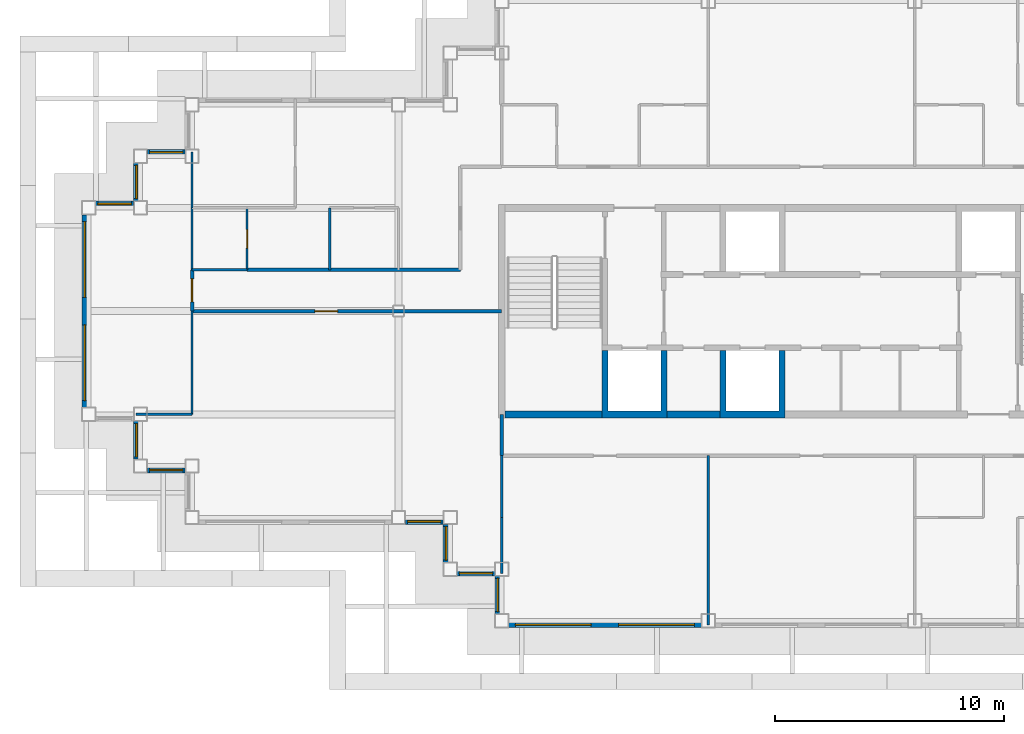
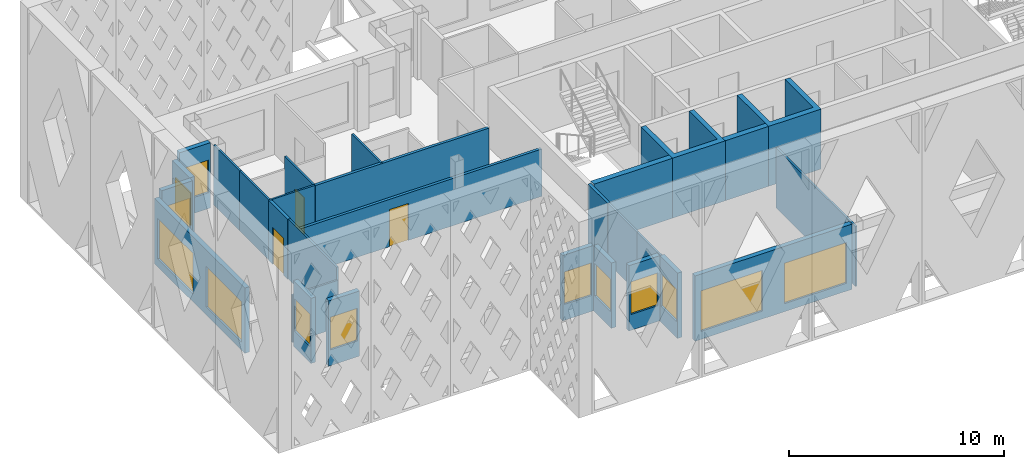
# One storey, part 2 of 13: 29 walls, 13 windows, 3 doors, 16 openings.
"""IFC4 building model written with IfcOpenShell, lengths in metres."""

from ifc_helpers import new_model, si_unit, direction, frame, frame_2d, origin, place, context, subcontext, project, spatial, polyline, rectangle, outline, extrude, material, layer, layer_set, type_object, element, fill, save


model = new_model("IFC4")

# Units and contexts
model_context = context("Model", 3, precision=1e-05, world=origin(), true_north=direction((0.0, 1.0)))
body_context = subcontext(model_context, "Body", "Model", "MODEL_VIEW")
ifc_project = project(units=[si_unit("LENGTHUNIT", "METRE"), si_unit("AREAUNIT", "SQUARE_METRE"), si_unit("VOLUMEUNIT", "CUBIC_METRE"), si_unit("PLANEANGLEUNIT", "RADIAN"), si_unit("MASSUNIT", "GRAM", prefix="KILO")], contexts=[model_context])

# Site, building, storey
site_placement = place(None, origin())
site = spatial("IfcSite", under=ifc_project, at=site_placement, CompositionType="ELEMENT")
building_placement = place(site_placement, origin())
building = spatial("IfcBuilding", under=site, at=building_placement, Name="Caravel Reach Hotel and Residences", CompositionType="ELEMENT")
storey_placement = place(building_placement, frame((0.0, 0.0, 267.5)))
storey = spatial("IfcBuildingStorey", under=building, at=storey_placement, Name="L68", CompositionType="ELEMENT", Elevation=267.5)

# Walls
ifc_material_1 = material(Name="Gypsum board on steel stud", Category="steel")
ifc_layer_1 = layer(ifc_material_1, 0.10009765625)
ifc_layer_set_1 = layer_set([ifc_layer_1], Name="Bathroom pod wall 100 mm")
wall_type_1 = type_object("IfcWallType", Name="Bathroom pod wall 100 mm", PredefinedType="PARTITIONING", material=ifc_layer_set_1)
wall_1_placement = place(storey_placement, frame((4.5, 28.800048828125, 0.0), z_axis=(0.0, 0.0, 1.0), x_axis=(1.0, 0.0, 0.0)))
element("IfcWall", 1, at=wall_1_placement, inside=storey, type_object=wall_type_1, Name="L68 wall w052", PredefinedType="PARTITIONING", context=body_context, shape_type="SweptSolid", body=[
    extrude(rectangle(XDim=2.39990234375, YDim=0.10009765625, at=frame_2d((1.199951171875, 0.0))), origin(), (0.0, 0.0, 1.0), 3.39990234375),
])
wall_2_placement = place(storey_placement, frame((4.5, 28.800048828125, 0.0), z_axis=(0.0, 0.0, 1.0), x_axis=(0.0, 1.0, 0.0)))
element("IfcWall", 2, at=wall_2_placement, inside=storey, type_object=wall_type_1, Name="L68 wall w060", PredefinedType="PARTITIONING", context=body_context, shape_type="SweptSolid", body=[
    extrude(rectangle(XDim=2.699951171875, YDim=0.10009765625, at=frame_2d((1.35009765625, 0.0))), origin(), (0.0, 0.0, 1.0), 3.39990234375),
])

# Wall, opening, door
wall_3_placement = place(storey_placement, frame((6.89990234375, 28.800048828125, 0.0), z_axis=(0.0, 0.0, 1.0), x_axis=(0.0, 1.0, 0.0)))
wall_3 = element("IfcWall", 3, at=wall_3_placement, inside=storey, type_object=wall_type_1, Name="L68 wall w065", PredefinedType="PARTITIONING", context=body_context, shape_type="SweptSolid", body=[
    extrude(rectangle(XDim=2.699951171875, YDim=0.10009765625, at=frame_2d((1.35009765625, 0.0))), origin(), (0.0, 0.0, 1.0), 3.39990234375),
])
opening_1_placement = place(wall_3_placement, frame((0.949951171875, 0.0, 0.0)))
opening_1 = element("IfcOpeningElement", 4, at=opening_1_placement, cuts=wall_3, Name="Opening D68-026", PredefinedType="OPENING", context=body_context, shape_type="SweptSolid", body=[
    extrude(rectangle(XDim=0.800048828125, YDim=2.10009765625, at=frame_2d((0.39990234375, 1.050048828125))), frame((0.0, 0.06005859375, 0.0), z_axis=(0.0, -1.0, 0.0), x_axis=(1.0, 0.0, 0.0)), (0.0, 0.0, 1.0), 0.1201171875),
])
ifc_material_2 = material(Name="Timber and steel door leaf", Category="steel")
door_type_1 = type_object("IfcDoorType", Name="Bathroom door 800 x 2100", OperationType="SINGLE_SWING_LEFT", PredefinedType="DOOR", material=ifc_material_2)
door_1_placement = place(opening_1_placement, origin())
door_1 = element("IfcDoor", 5, at=door_1_placement, inside=storey, type_object=door_type_1, Name="door D68-026", OperationType="SINGLE_SWING_LEFT", OverallHeight=2.10009765625, OverallWidth=0.800048828125, PredefinedType="DOOR", context=body_context, shape_type="SweptSolid", body=[
    extrude(rectangle(XDim=0.800048828125, YDim=2.10009765625, at=frame_2d((0.39990234375, 1.050048828125))), frame((0.0, 0.02490234375, 0.0), z_axis=(0.0, -1.0, 0.0), x_axis=(1.0, 0.0, 0.0)), (0.0, 0.0, 1.0), 0.050048828125),
])
fill(opening_1, door_1)

# Walls
ifc_material_3 = material(Name="Concrete C60", Category="concrete")
ifc_layer_2 = layer(ifc_material_3, 0.300048828125)
ifc_layer_set_2 = layer_set([ifc_layer_2], Name="Core wall 300 mm EI 120")
wall_type_2 = type_object("IfcWallType", Name="Core wall 300 mm EI 120", PredefinedType="SHEAR", material=ifc_layer_set_2)
wall_4_placement = place(storey_placement, frame((18.14990234375, 22.5, 0.0), z_axis=(0.0, 0.0, 1.0), x_axis=(1.0, 0.0, 0.0)))
element("IfcWall", 6, at=wall_4_placement, inside=storey, type_object=wall_type_2, Name="L68 core wall S1", PredefinedType="SHEAR", context=body_context, shape_type="SweptSolid", body=[
    extrude(rectangle(XDim=4.22509765625, YDim=0.300048828125, at=frame_2d((2.112548828125, 0.0))), origin(), (0.0, 0.0, 1.0), 3.39990234375),
])
wall_5_placement = place(storey_placement, frame((25.196533203125, 22.5, 0.0), z_axis=(0.0, 0.0, 1.0), x_axis=(1.0, 0.0, 0.0)))
element("IfcWall", 7, at=wall_5_placement, inside=storey, type_object=wall_type_2, Name="L68 core wall S2", PredefinedType="SHEAR", context=body_context, shape_type="SweptSolid", body=[
    extrude(rectangle(XDim=2.3212890625, YDim=0.300048828125, at=frame_2d((1.16064453125, 0.0))), origin(), (0.0, 0.0, 1.0), 3.39990234375),
])

# Wall, opening, door
ifc_material_4 = material(Name="Gypsum board on steel stud, fire-rated", Category="steel")
ifc_layer_3 = layer(ifc_material_4, 0.14990234375)
ifc_layer_set_3 = layer_set([ifc_layer_3], Name="Corridor wall 150 mm EI 60")
wall_type_3 = type_object("IfcWallType", Name="Corridor wall 150 mm EI 60", PredefinedType="PARTITIONING", material=ifc_layer_set_3)
wall_6_placement = place(storey_placement, frame((4.5, 27.0, 0.0), z_axis=(0.0, 0.0, 1.0), x_axis=(1.0, 0.0, 0.0)))
wall_6 = element("IfcWall", 8, at=wall_6_placement, inside=storey, type_object=wall_type_3, Name="L68 wall w007", PredefinedType="PARTITIONING", context=body_context, shape_type="SweptSolid", body=[
    extrude(rectangle(XDim=13.5, YDim=0.14990234375, at=frame_2d((6.75, 0.0))), origin(), (0.0, 0.0, 1.0), 2.679931640625),
])
opening_2_placement = place(wall_6_placement, frame((5.35009765625, 0.0, 0.0)))
opening_2 = element("IfcOpeningElement", 9, at=opening_2_placement, cuts=wall_6, Name="Opening D68-029", PredefinedType="OPENING", context=body_context, shape_type="SweptSolid", body=[
    extrude(rectangle(XDim=1.0, YDim=2.10009765625, at=frame_2d((0.5, 1.050048828125))), frame((0.0, 0.0849609375, 0.0), z_axis=(0.0, -1.0, 0.0), x_axis=(1.0, 0.0, 0.0)), (0.0, 0.0, 1.0), 0.169921875),
])
ifc_material_5 = material(Name="Steel fire door leaf", Category="steel")
door_type_2 = type_object("IfcDoorType", Name="Fire door 1000 x 2100 EI 60", OperationType="SINGLE_SWING_LEFT", PredefinedType="DOOR", material=ifc_material_5)
door_2_placement = place(opening_2_placement, origin())
door_2 = element("IfcDoor", 10, at=door_2_placement, inside=storey, type_object=door_type_2, Name="door D68-029", OperationType="SINGLE_SWING_LEFT", OverallHeight=2.10009765625, OverallWidth=1.0, PredefinedType="DOOR", context=body_context, shape_type="SweptSolid", body=[
    extrude(rectangle(XDim=1.0, YDim=2.10009765625, at=frame_2d((0.5, 1.050048828125))), frame((0.0, 0.02490234375, 0.0), z_axis=(0.0, -1.0, 0.0), x_axis=(1.0, 0.0, 0.0)), (0.0, 0.0, 1.0), 0.050048828125),
])
fill(opening_2, door_2)

# Walls
wall_7_placement = place(storey_placement, frame((6.89990234375, 28.800048828125, 0.0), z_axis=(0.0, 0.0, 1.0), x_axis=(1.0, 0.0, 0.0)))
element("IfcWall", 11, at=wall_7_placement, inside=storey, type_object=wall_type_3, Name="L68 wall w008", PredefinedType="PARTITIONING", context=body_context, shape_type="SweptSolid", body=[
    extrude(rectangle(XDim=9.299072265625, YDim=0.14990234375, at=frame_2d((4.6494140625, 0.0))), origin(), (0.0, 0.0, 1.0), 3.39990234375),
])
wall_8_placement = place(storey_placement, frame((18.0, 20.699951171875, 0.0), z_axis=(0.0, 0.0, 1.0), x_axis=(0.0, 1.0, 0.0)))
element("IfcWall", 12, at=wall_8_placement, inside=storey, type_object=wall_type_3, Name="L68 wall w018", PredefinedType="PARTITIONING", context=body_context, shape_type="SweptSolid", body=[
    extrude(rectangle(XDim=1.800048828125, YDim=0.14990234375, at=frame_2d((0.89990234375, 0.0))), origin(), (0.0, 0.0, 1.0), 3.39990234375),
])

# Wall, opening, door
wall_9_placement = place(storey_placement, frame((4.5, 27.0, 0.0), z_axis=(0.0, 0.0, 1.0), x_axis=(0.0, 1.0, 0.0)))
wall_9 = element("IfcWall", 13, at=wall_9_placement, inside=storey, type_object=wall_type_3, Name="L68 wall w019", PredefinedType="PARTITIONING", context=body_context, shape_type="SweptSolid", body=[
    extrude(rectangle(XDim=1.800048828125, YDim=0.14990234375, at=frame_2d((0.89990234375, 0.0))), origin(), (0.0, 0.0, 1.0), 3.39990234375),
])
opening_3_placement = place(wall_9_placement, frame((0.39990234375, 0.0, 0.0)))
opening_3 = element("IfcOpeningElement", 14, at=opening_3_placement, cuts=wall_9, Name="Opening D68-036", PredefinedType="OPENING", context=body_context, shape_type="SweptSolid", body=[
    extrude(rectangle(XDim=1.0, YDim=2.10009765625, at=frame_2d((0.5, 1.050048828125))), frame((0.0, 0.0849609375, 0.0), z_axis=(0.0, -1.0, 0.0), x_axis=(1.0, 0.0, 0.0)), (0.0, 0.0, 1.0), 0.169921875),
])
door_3_placement = place(opening_3_placement, origin())
door_3 = element("IfcDoor", 15, at=door_3_placement, inside=storey, type_object=door_type_2, Name="door D68-036", OperationType="SINGLE_SWING_RIGHT", OverallHeight=2.10009765625, OverallWidth=1.0, PredefinedType="DOOR", context=body_context, shape_type="SweptSolid", body=[
    extrude(rectangle(XDim=1.0, YDim=2.10009765625, at=frame_2d((0.5, 1.050048828125))), frame((0.0, 0.02490234375, 0.0), z_axis=(0.0, -1.0, 0.0), x_axis=(1.0, 0.0, 0.0)), (0.0, 0.0, 1.0), 0.050048828125),
])
fill(opening_3, door_3)

# Wall, opening, window
ifc_material_6 = material(Name="Insulated rainscreen wall, aluminium cladding", Category="aluminium")
ifc_layer_4 = layer(ifc_material_6, 0.25)
ifc_layer_set_4 = layer_set([ifc_layer_4], Name="EW1 Tower rainscreen wall")
wall_type_4 = type_object("IfcWallType", Name="EW1 Tower rainscreen wall", PredefinedType="SOLIDWALL", material=ifc_layer_set_4)
wall_10_placement = place(storey_placement, frame((15.574951171875, 17.699951171875, 0.0), z_axis=(0.0, 0.0, 1.0), x_axis=(0.0, -1.0, 0.0)))
wall_10 = element("IfcWall", 16, at=wall_10_placement, inside=storey, type_object=wall_type_4, Name="External wall L68 W1.1", PredefinedType="SOLIDWALL", context=body_context, shape_type="SweptSolid", body=[
    extrude(rectangle(XDim=1.64990234375, YDim=0.25, at=frame_2d((0.824951171875, 0.0))), origin(), (0.0, 0.0, 1.0), 3.699951171875),
])
opening_4_placement = place(wall_10_placement, frame((0.10009765625, 0.0, 0.89990234375)))
opening_4 = element("IfcOpeningElement", 17, at=opening_4_placement, cuts=wall_10, Name="Opening WN25", PredefinedType="OPENING", context=body_context, shape_type="SweptSolid", body=[
    extrude(rectangle(XDim=1.449951171875, YDim=1.85009765625, at=frame_2d((0.72509765625, 0.925048828125))), frame((0.0, 0.135009765625, 0.0), z_axis=(0.0, -1.0, 0.0), x_axis=(1.0, 0.0, 0.0)), (0.0, 0.0, 1.0), 0.27001953125),
])
ifc_material_7 = material(Name="Dark low-e glazing in black aluminium frame", Category="aluminium")
window_type_1 = type_object("IfcWindowType", Name="Residence bedroom window 1450 x 1850", PartitioningType="SINGLE_PANEL", PredefinedType="WINDOW", material=ifc_material_7)
window_1_placement = place(opening_4_placement, origin())
window_1 = element("IfcWindow", 18, at=window_1_placement, inside=storey, type_object=window_type_1, Name="Window L68 W1.1.1", OverallHeight=1.85009765625, OverallWidth=1.449951171875, PartitioningType="SINGLE_PANEL", PredefinedType="WINDOW", context=body_context, shape_type="SweptSolid", body=[
    extrude(rectangle(XDim=1.449951171875, YDim=1.85009765625, at=frame_2d((0.72509765625, 0.925048828125))), frame((0.0, 0.030029296875, 0.0), z_axis=(0.0, -1.0, 0.0), x_axis=(1.0, 0.0, 0.0)), (0.0, 0.0, 1.0), 0.06005859375),
])
fill(opening_4, window_1)

wall_11_placement = place(storey_placement, frame((16.050048828125, 15.574951171875, 0.0), z_axis=(0.0, 0.0, 1.0), x_axis=(1.0, 0.0, 0.0)))
wall_11 = element("IfcWall", 19, at=wall_11_placement, inside=storey, type_object=wall_type_4, Name="External wall L68 S2.1", PredefinedType="SOLIDWALL", context=body_context, shape_type="SweptSolid", body=[
    extrude(rectangle(XDim=1.64990234375, YDim=0.25, at=frame_2d((0.824951171875, 0.0))), origin(), (0.0, 0.0, 1.0), 3.699951171875),
])
opening_5_placement = place(wall_11_placement, frame((0.10009765625, 0.0, 0.89990234375)))
opening_5 = element("IfcOpeningElement", 20, at=opening_5_placement, cuts=wall_11, Name="Opening WN25", PredefinedType="OPENING", context=body_context, shape_type="SweptSolid", body=[
    extrude(rectangle(XDim=1.449951171875, YDim=1.85009765625, at=frame_2d((0.72509765625, 0.925048828125))), frame((0.0, 0.135009765625, 0.0), z_axis=(0.0, -1.0, 0.0), x_axis=(1.0, 0.0, 0.0)), (0.0, 0.0, 1.0), 0.27001953125),
])
window_2_placement = place(opening_5_placement, origin())
window_2 = element("IfcWindow", 21, at=window_2_placement, inside=storey, type_object=window_type_1, Name="Window L68 S2.1.1", OverallHeight=1.85009765625, OverallWidth=1.449951171875, PartitioningType="SINGLE_PANEL", PredefinedType="WINDOW", context=body_context, shape_type="SweptSolid", body=[
    extrude(rectangle(XDim=1.449951171875, YDim=1.85009765625, at=frame_2d((0.72509765625, 0.925048828125))), frame((0.0, 0.030029296875, 0.0), z_axis=(0.0, -1.0, 0.0), x_axis=(1.0, 0.0, 0.0)), (0.0, 0.0, 1.0), 0.06005859375),
])
fill(opening_5, window_2)

wall_12_placement = place(storey_placement, frame((17.824951171875, 15.449951171875, 0.0), z_axis=(0.0, 0.0, 1.0), x_axis=(0.0, -1.0, 0.0)))
wall_12 = element("IfcWall", 22, at=wall_12_placement, inside=storey, type_object=wall_type_4, Name="External wall L68 W3.1", PredefinedType="SOLIDWALL", context=body_context, shape_type="SweptSolid", body=[
    extrude(rectangle(XDim=1.64990234375, YDim=0.25, at=frame_2d((0.824951171875, 0.0))), origin(), (0.0, 0.0, 1.0), 3.699951171875),
])
opening_6_placement = place(wall_12_placement, frame((0.10009765625, 0.0, 0.89990234375)))
opening_6 = element("IfcOpeningElement", 23, at=opening_6_placement, cuts=wall_12, Name="Opening WN25", PredefinedType="OPENING", context=body_context, shape_type="SweptSolid", body=[
    extrude(rectangle(XDim=1.449951171875, YDim=1.85009765625, at=frame_2d((0.72509765625, 0.925048828125))), frame((0.0, 0.135009765625, 0.0), z_axis=(0.0, -1.0, 0.0), x_axis=(1.0, 0.0, 0.0)), (0.0, 0.0, 1.0), 0.27001953125),
])
window_3_placement = place(opening_6_placement, origin())
window_3 = element("IfcWindow", 24, at=window_3_placement, inside=storey, type_object=window_type_1, Name="Window L68 W3.1.1", OverallHeight=1.85009765625, OverallWidth=1.449951171875, PartitioningType="SINGLE_PANEL", PredefinedType="WINDOW", context=body_context, shape_type="SweptSolid", body=[
    extrude(rectangle(XDim=1.449951171875, YDim=1.85009765625, at=frame_2d((0.72509765625, 0.925048828125))), frame((0.0, 0.030029296875, 0.0), z_axis=(0.0, -1.0, 0.0), x_axis=(1.0, 0.0, 0.0)), (0.0, 0.0, 1.0), 0.06005859375),
])
fill(opening_6, window_3)

# Wall, openings, windows
wall_13_placement = place(storey_placement, frame((18.300048828125, 13.324951171875, 0.0), z_axis=(0.0, 0.0, 1.0), x_axis=(1.0, 0.0, 0.0)))
wall_13 = element("IfcWall", 25, at=wall_13_placement, inside=storey, type_object=wall_type_4, Name="External wall L68 S4.1", PredefinedType="SOLIDWALL", context=body_context, shape_type="SweptSolid", body=[
    extrude(rectangle(XDim=8.39990234375, YDim=0.25, at=frame_2d((4.199951171875, 0.0))), origin(), (0.0, 0.0, 1.0), 3.699951171875),
])
opening_7_placement = place(wall_13_placement, frame((0.300048828125, 0.0, 0.449951171875)))
opening_7 = element("IfcOpeningElement", 26, at=opening_7_placement, cuts=wall_13, Name="Opening WN15", PredefinedType="OPENING", context=body_context, shape_type="SweptSolid", body=[
    extrude(rectangle(XDim=3.300048828125, YDim=2.300048828125, at=frame_2d((1.64990234375, 1.14990234375))), frame((0.0, 0.135009765625, 0.0), z_axis=(0.0, -1.0, 0.0), x_axis=(1.0, 0.0, 0.0)), (0.0, 0.0, 1.0), 0.27001953125),
])
opening_8_placement = place(wall_13_placement, frame((4.800048828125, 0.0, 0.449951171875)))
opening_8 = element("IfcOpeningElement", 27, at=opening_8_placement, cuts=wall_13, Name="Opening WN15", PredefinedType="OPENING", context=body_context, shape_type="SweptSolid", body=[
    extrude(rectangle(XDim=3.300048828125, YDim=2.300048828125, at=frame_2d((1.64990234375, 1.14990234375))), frame((0.0, 0.135009765625, 0.0), z_axis=(0.0, -1.0, 0.0), x_axis=(1.0, 0.0, 0.0)), (0.0, 0.0, 1.0), 0.27001953125),
])
ifc_material_8 = material(Name="Dark low-e glazing in black aluminium frame", Category="aluminium")
window_type_2 = type_object("IfcWindowType", Name="Residence living window 3300 x 2300", PartitioningType="SINGLE_PANEL", PredefinedType="WINDOW", material=ifc_material_8)
window_4_placement = place(opening_7_placement, origin())
window_4 = element("IfcWindow", 28, at=window_4_placement, inside=storey, type_object=window_type_2, Name="Window L68 S4.1.1", OverallHeight=2.300048828125, OverallWidth=3.300048828125, PartitioningType="SINGLE_PANEL", PredefinedType="WINDOW", context=body_context, shape_type="SweptSolid", body=[
    extrude(rectangle(XDim=3.300048828125, YDim=2.300048828125, at=frame_2d((1.64990234375, 1.14990234375))), frame((0.0, 0.030029296875, 0.0), z_axis=(0.0, -1.0, 0.0), x_axis=(1.0, 0.0, 0.0)), (0.0, 0.0, 1.0), 0.06005859375),
])
fill(opening_7, window_4)
window_5_placement = place(opening_8_placement, origin())
window_5 = element("IfcWindow", 29, at=window_5_placement, inside=storey, type_object=window_type_2, Name="Window L68 S4.1.2", OverallHeight=2.300048828125, OverallWidth=3.300048828125, PartitioningType="SINGLE_PANEL", PredefinedType="WINDOW", context=body_context, shape_type="SweptSolid", body=[
    extrude(rectangle(XDim=3.300048828125, YDim=2.300048828125, at=frame_2d((1.64990234375, 1.14990234375))), frame((0.0, 0.030029296875, 0.0), z_axis=(0.0, -1.0, 0.0), x_axis=(1.0, 0.0, 0.0)), (0.0, 0.0, 1.0), 0.06005859375),
])
fill(opening_8, window_5)

# Wall, opening, window
wall_14_placement = place(storey_placement, frame((4.199951171875, 33.925048828125, 0.0), z_axis=(0.0, 0.0, 1.0), x_axis=(-1.0, 0.0, 0.0)))
wall_14 = element("IfcWall", 30, at=wall_14_placement, inside=storey, type_object=wall_type_4, Name="External wall L68 N20.1", PredefinedType="SOLIDWALL", context=body_context, shape_type="SweptSolid", body=[
    extrude(rectangle(XDim=1.64990234375, YDim=0.25, at=frame_2d((0.824951171875, 0.0))), origin(), (0.0, 0.0, 1.0), 3.699951171875),
])
opening_9_placement = place(wall_14_placement, frame((0.10009765625, 0.0, 0.89990234375)))
opening_9 = element("IfcOpeningElement", 31, at=opening_9_placement, cuts=wall_14, Name="Opening WN25", PredefinedType="OPENING", context=body_context, shape_type="SweptSolid", body=[
    extrude(rectangle(XDim=1.449951171875, YDim=1.85009765625, at=frame_2d((0.72509765625, 0.925048828125))), frame((0.0, 0.135009765625, 0.0), z_axis=(0.0, -1.0, 0.0), x_axis=(1.0, 0.0, 0.0)), (0.0, 0.0, 1.0), 0.27001953125),
])
window_6_placement = place(opening_9_placement, origin())
window_6 = element("IfcWindow", 32, at=window_6_placement, inside=storey, type_object=window_type_1, Name="Window L68 N20.1.1", OverallHeight=1.85009765625, OverallWidth=1.449951171875, PartitioningType="SINGLE_PANEL", PredefinedType="WINDOW", context=body_context, shape_type="SweptSolid", body=[
    extrude(rectangle(XDim=1.449951171875, YDim=1.85009765625, at=frame_2d((0.72509765625, 0.925048828125))), frame((0.0, 0.030029296875, 0.0), z_axis=(0.0, -1.0, 0.0), x_axis=(1.0, 0.0, 0.0)), (0.0, 0.0, 1.0), 0.06005859375),
])
fill(opening_9, window_6)

wall_15_placement = place(storey_placement, frame((2.074951171875, 33.449951171875, 0.0), z_axis=(0.0, 0.0, 1.0), x_axis=(0.0, -1.0, 0.0)))
wall_15 = element("IfcWall", 33, at=wall_15_placement, inside=storey, type_object=wall_type_4, Name="External wall L68 W21.1", PredefinedType="SOLIDWALL", context=body_context, shape_type="SweptSolid", body=[
    extrude(rectangle(XDim=1.64990234375, YDim=0.25, at=frame_2d((0.824951171875, 0.0))), origin(), (0.0, 0.0, 1.0), 3.699951171875),
])
opening_10_placement = place(wall_15_placement, frame((0.10009765625, 0.0, 0.89990234375)))
opening_10 = element("IfcOpeningElement", 34, at=opening_10_placement, cuts=wall_15, Name="Opening WN25", PredefinedType="OPENING", context=body_context, shape_type="SweptSolid", body=[
    extrude(rectangle(XDim=1.449951171875, YDim=1.85009765625, at=frame_2d((0.72509765625, 0.925048828125))), frame((0.0, 0.135009765625, 0.0), z_axis=(0.0, -1.0, 0.0), x_axis=(1.0, 0.0, 0.0)), (0.0, 0.0, 1.0), 0.27001953125),
])
window_7_placement = place(opening_10_placement, origin())
window_7 = element("IfcWindow", 35, at=window_7_placement, inside=storey, type_object=window_type_1, Name="Window L68 W21.1.1", OverallHeight=1.85009765625, OverallWidth=1.449951171875, PartitioningType="SINGLE_PANEL", PredefinedType="WINDOW", context=body_context, shape_type="SweptSolid", body=[
    extrude(rectangle(XDim=1.449951171875, YDim=1.85009765625, at=frame_2d((0.72509765625, 0.925048828125))), frame((0.0, 0.030029296875, 0.0), z_axis=(0.0, -1.0, 0.0), x_axis=(1.0, 0.0, 0.0)), (0.0, 0.0, 1.0), 0.06005859375),
])
fill(opening_10, window_7)

wall_16_placement = place(storey_placement, frame((1.949951171875, 31.675048828125, 0.0), z_axis=(0.0, 0.0, 1.0), x_axis=(-1.0, 0.0, 0.0)))
wall_16 = element("IfcWall", 36, at=wall_16_placement, inside=storey, type_object=wall_type_4, Name="External wall L68 N22.1", PredefinedType="SOLIDWALL", context=body_context, shape_type="SweptSolid", body=[
    extrude(rectangle(XDim=1.64990234375, YDim=0.25, at=frame_2d((0.824951171875, 0.0))), origin(), (0.0, 0.0, 1.0), 3.699951171875),
])
opening_11_placement = place(wall_16_placement, frame((0.10009765625, 0.0, 0.89990234375)))
opening_11 = element("IfcOpeningElement", 37, at=opening_11_placement, cuts=wall_16, Name="Opening WN25", PredefinedType="OPENING", context=body_context, shape_type="SweptSolid", body=[
    extrude(rectangle(XDim=1.449951171875, YDim=1.85009765625, at=frame_2d((0.72509765625, 0.925048828125))), frame((0.0, 0.135009765625, 0.0), z_axis=(0.0, -1.0, 0.0), x_axis=(1.0, 0.0, 0.0)), (0.0, 0.0, 1.0), 0.27001953125),
])
window_8_placement = place(opening_11_placement, origin())
window_8 = element("IfcWindow", 38, at=window_8_placement, inside=storey, type_object=window_type_1, Name="Window L68 N22.1.1", OverallHeight=1.85009765625, OverallWidth=1.449951171875, PartitioningType="SINGLE_PANEL", PredefinedType="WINDOW", context=body_context, shape_type="SweptSolid", body=[
    extrude(rectangle(XDim=1.449951171875, YDim=1.85009765625, at=frame_2d((0.72509765625, 0.925048828125))), frame((0.0, 0.030029296875, 0.0), z_axis=(0.0, -1.0, 0.0), x_axis=(1.0, 0.0, 0.0)), (0.0, 0.0, 1.0), 0.06005859375),
])
fill(opening_11, window_8)

# Wall, openings, windows
wall_17_placement = place(storey_placement, frame((-0.175048828125, 31.199951171875, 0.0), z_axis=(0.0, 0.0, 1.0), x_axis=(0.0, -1.0, 0.0)))
wall_17 = element("IfcWall", 39, at=wall_17_placement, inside=storey, type_object=wall_type_4, Name="External wall L68 W23.1", PredefinedType="SOLIDWALL", context=body_context, shape_type="SweptSolid", body=[
    extrude(rectangle(XDim=8.39990234375, YDim=0.25, at=frame_2d((4.199951171875, 0.0))), origin(), (0.0, 0.0, 1.0), 3.699951171875),
])
opening_12_placement = place(wall_17_placement, frame((0.300048828125, 0.0, 0.449951171875)))
opening_12 = element("IfcOpeningElement", 40, at=opening_12_placement, cuts=wall_17, Name="Opening WN15", PredefinedType="OPENING", context=body_context, shape_type="SweptSolid", body=[
    extrude(rectangle(XDim=3.300048828125, YDim=2.300048828125, at=frame_2d((1.64990234375, 1.14990234375))), frame((0.0, 0.135009765625, 0.0), z_axis=(0.0, -1.0, 0.0), x_axis=(1.0, 0.0, 0.0)), (0.0, 0.0, 1.0), 0.27001953125),
])
opening_13_placement = place(wall_17_placement, frame((4.800048828125, 0.0, 0.449951171875)))
opening_13 = element("IfcOpeningElement", 41, at=opening_13_placement, cuts=wall_17, Name="Opening WN15", PredefinedType="OPENING", context=body_context, shape_type="SweptSolid", body=[
    extrude(rectangle(XDim=3.300048828125, YDim=2.300048828125, at=frame_2d((1.64990234375, 1.14990234375))), frame((0.0, 0.135009765625, 0.0), z_axis=(0.0, -1.0, 0.0), x_axis=(1.0, 0.0, 0.0)), (0.0, 0.0, 1.0), 0.27001953125),
])
window_9_placement = place(opening_12_placement, origin())
window_9 = element("IfcWindow", 42, at=window_9_placement, inside=storey, type_object=window_type_2, Name="Window L68 W23.1.1", OverallHeight=2.300048828125, OverallWidth=3.300048828125, PartitioningType="SINGLE_PANEL", PredefinedType="WINDOW", context=body_context, shape_type="SweptSolid", body=[
    extrude(rectangle(XDim=3.300048828125, YDim=2.300048828125, at=frame_2d((1.64990234375, 1.14990234375))), frame((0.0, 0.030029296875, 0.0), z_axis=(0.0, -1.0, 0.0), x_axis=(1.0, 0.0, 0.0)), (0.0, 0.0, 1.0), 0.06005859375),
])
fill(opening_12, window_9)
window_10_placement = place(opening_13_placement, origin())
window_10 = element("IfcWindow", 43, at=window_10_placement, inside=storey, type_object=window_type_2, Name="Window L68 W23.1.2", OverallHeight=2.300048828125, OverallWidth=3.300048828125, PartitioningType="SINGLE_PANEL", PredefinedType="WINDOW", context=body_context, shape_type="SweptSolid", body=[
    extrude(rectangle(XDim=3.300048828125, YDim=2.300048828125, at=frame_2d((1.64990234375, 1.14990234375))), frame((0.0, 0.030029296875, 0.0), z_axis=(0.0, -1.0, 0.0), x_axis=(1.0, 0.0, 0.0)), (0.0, 0.0, 1.0), 0.06005859375),
])
fill(opening_13, window_10)

# Wall, opening, window
wall_18_placement = place(storey_placement, frame((2.074951171875, 22.199951171875, 0.0), z_axis=(0.0, 0.0, 1.0), x_axis=(0.0, -1.0, 0.0)))
wall_18 = element("IfcWall", 44, at=wall_18_placement, inside=storey, type_object=wall_type_4, Name="External wall L68 W25.1", PredefinedType="SOLIDWALL", context=body_context, shape_type="SweptSolid", body=[
    extrude(rectangle(XDim=1.64990234375, YDim=0.25, at=frame_2d((0.824951171875, 0.0))), origin(), (0.0, 0.0, 1.0), 3.699951171875),
])
opening_14_placement = place(wall_18_placement, frame((0.10009765625, 0.0, 0.89990234375)))
opening_14 = element("IfcOpeningElement", 45, at=opening_14_placement, cuts=wall_18, Name="Opening WN25", PredefinedType="OPENING", context=body_context, shape_type="SweptSolid", body=[
    extrude(rectangle(XDim=1.449951171875, YDim=1.85009765625, at=frame_2d((0.72509765625, 0.925048828125))), frame((0.0, 0.135009765625, 0.0), z_axis=(0.0, -1.0, 0.0), x_axis=(1.0, 0.0, 0.0)), (0.0, 0.0, 1.0), 0.27001953125),
])
window_11_placement = place(opening_14_placement, origin())
window_11 = element("IfcWindow", 46, at=window_11_placement, inside=storey, type_object=window_type_1, Name="Window L68 W25.1.1", OverallHeight=1.85009765625, OverallWidth=1.449951171875, PartitioningType="SINGLE_PANEL", PredefinedType="WINDOW", context=body_context, shape_type="SweptSolid", body=[
    extrude(rectangle(XDim=1.449951171875, YDim=1.85009765625, at=frame_2d((0.72509765625, 0.925048828125))), frame((0.0, 0.030029296875, 0.0), z_axis=(0.0, -1.0, 0.0), x_axis=(1.0, 0.0, 0.0)), (0.0, 0.0, 1.0), 0.06005859375),
])
fill(opening_14, window_11)

wall_19_placement = place(storey_placement, frame((2.550048828125, 20.074951171875, 0.0), z_axis=(0.0, 0.0, 1.0), x_axis=(1.0, 0.0, 0.0)))
wall_19 = element("IfcWall", 47, at=wall_19_placement, inside=storey, type_object=wall_type_4, Name="External wall L68 S26.1", PredefinedType="SOLIDWALL", context=body_context, shape_type="SweptSolid", body=[
    extrude(rectangle(XDim=1.64990234375, YDim=0.25, at=frame_2d((0.824951171875, 0.0))), origin(), (0.0, 0.0, 1.0), 3.699951171875),
])
opening_15_placement = place(wall_19_placement, frame((0.10009765625, 0.0, 0.89990234375)))
opening_15 = element("IfcOpeningElement", 48, at=opening_15_placement, cuts=wall_19, Name="Opening WN25", PredefinedType="OPENING", context=body_context, shape_type="SweptSolid", body=[
    extrude(rectangle(XDim=1.449951171875, YDim=1.85009765625, at=frame_2d((0.72509765625, 0.925048828125))), frame((0.0, 0.135009765625, 0.0), z_axis=(0.0, -1.0, 0.0), x_axis=(1.0, 0.0, 0.0)), (0.0, 0.0, 1.0), 0.27001953125),
])
window_12_placement = place(opening_15_placement, origin())
window_12 = element("IfcWindow", 49, at=window_12_placement, inside=storey, type_object=window_type_1, Name="Window L68 S26.1.1", OverallHeight=1.85009765625, OverallWidth=1.449951171875, PartitioningType="SINGLE_PANEL", PredefinedType="WINDOW", context=body_context, shape_type="SweptSolid", body=[
    extrude(rectangle(XDim=1.449951171875, YDim=1.85009765625, at=frame_2d((0.72509765625, 0.925048828125))), frame((0.0, 0.030029296875, 0.0), z_axis=(0.0, -1.0, 0.0), x_axis=(1.0, 0.0, 0.0)), (0.0, 0.0, 1.0), 0.06005859375),
])
fill(opening_15, window_12)

wall_20_placement = place(storey_placement, frame((13.800048828125, 17.824951171875, 0.0), z_axis=(0.0, 0.0, 1.0), x_axis=(1.0, 0.0, 0.0)))
wall_20 = element("IfcWall", 50, at=wall_20_placement, inside=storey, type_object=wall_type_4, Name="External wall L68 S28.2", PredefinedType="SOLIDWALL", context=body_context, shape_type="SweptSolid", body=[
    extrude(rectangle(XDim=1.64990234375, YDim=0.25, at=frame_2d((0.824951171875, 0.0))), origin(), (0.0, 0.0, 1.0), 3.699951171875),
])
opening_16_placement = place(wall_20_placement, frame((0.10009765625, 0.0, 0.89990234375)))
opening_16 = element("IfcOpeningElement", 51, at=opening_16_placement, cuts=wall_20, Name="Opening WN25", PredefinedType="OPENING", context=body_context, shape_type="SweptSolid", body=[
    extrude(rectangle(XDim=1.449951171875, YDim=1.85009765625, at=frame_2d((0.72509765625, 0.925048828125))), frame((0.0, 0.135009765625, 0.0), z_axis=(0.0, -1.0, 0.0), x_axis=(1.0, 0.0, 0.0)), (0.0, 0.0, 1.0), 0.27001953125),
])
window_13_placement = place(opening_16_placement, origin())
window_13 = element("IfcWindow", 52, at=window_13_placement, inside=storey, type_object=window_type_1, Name="Window L68 S28.2.1", OverallHeight=1.85009765625, OverallWidth=1.449951171875, PartitioningType="SINGLE_PANEL", PredefinedType="WINDOW", context=body_context, shape_type="SweptSolid", body=[
    extrude(rectangle(XDim=1.449951171875, YDim=1.85009765625, at=frame_2d((0.72509765625, 0.925048828125))), frame((0.0, 0.030029296875, 0.0), z_axis=(0.0, -1.0, 0.0), x_axis=(1.0, 0.0, 0.0)), (0.0, 0.0, 1.0), 0.06005859375),
])
fill(opening_16, window_13)

# Walls
ifc_material_9 = material(Name="Gypsum board on steel stud", Category="steel")
ifc_layer_5 = layer(ifc_material_9, 0.10009765625)
ifc_layer_set_5 = layer_set([ifc_layer_5], Name="Partition 100 mm")
wall_type_5 = type_object("IfcWallType", Name="Partition 100 mm", PredefinedType="PARTITIONING", material=ifc_layer_set_5)
wall_21_placement = place(storey_placement, frame((2.06005859375, 22.5, 0.0), z_axis=(0.0, 0.0, 1.0), x_axis=(1.0, 0.0, 0.0)))
element("IfcWall", 53, at=wall_21_placement, inside=storey, type_object=wall_type_5, Name="L68 wall w023", PredefinedType="PARTITIONING", context=body_context, shape_type="SweptSolid", body=[
    extrude(rectangle(XDim=2.43896484375, YDim=0.10009765625, at=frame_2d((1.219482421875, 0.0))), origin(), (0.0, 0.0, 1.0), 2.679931640625),
])
wall_22_placement = place(storey_placement, frame((10.5, 28.800048828125, 0.0), z_axis=(0.0, 0.0, 1.0), x_axis=(0.0, 1.0, 0.0)))
element("IfcWall", 54, at=wall_22_placement, inside=storey, type_object=wall_type_5, Name="L68 wall w029", PredefinedType="PARTITIONING", context=body_context, shape_type="SweptSolid", body=[
    extrude(rectangle(XDim=2.699951171875, YDim=0.10009765625, at=frame_2d((1.35009765625, 0.0))), origin(), (0.0, 0.0, 1.0), 3.39990234375),
])
wall_23_placement = place(storey_placement, frame((18.0, 15.56005859375, 0.0), z_axis=(0.0, 0.0, 1.0), x_axis=(0.0, 1.0, 0.0)))
element("IfcWall", 55, at=wall_23_placement, inside=storey, type_object=wall_type_5, Name="L68 wall w031", PredefinedType="PARTITIONING", context=body_context, shape_type="SweptSolid", body=[
    extrude(rectangle(XDim=2.43896484375, YDim=0.10009765625, at=frame_2d((1.219482421875, 0.0))), origin(), (0.0, 0.0, 1.0), 3.39990234375),
])
wall_24_placement = place(storey_placement, frame((18.0, 18.0, 0.0), z_axis=(0.0, 0.0, 1.0), x_axis=(0.0, 1.0, 0.0)))
element("IfcWall", 56, at=wall_24_placement, inside=storey, type_object=wall_type_5, Name="L68 wall w032", PredefinedType="PARTITIONING", context=body_context, shape_type="SweptSolid", body=[
    extrude(rectangle(XDim=2.699951171875, YDim=0.10009765625, at=frame_2d((1.35009765625, 0.0))), origin(), (0.0, 0.0, 1.0), 3.39990234375),
])
wall_25_placement = place(storey_placement, frame((27.0, 13.31005859375, 0.0), z_axis=(0.0, 0.0, 1.0), x_axis=(0.0, 1.0, 0.0)))
element("IfcWall", 57, at=wall_25_placement, inside=storey, type_object=wall_type_5, Name="L68 wall w036", PredefinedType="PARTITIONING", context=body_context, shape_type="SweptSolid", body=[
    extrude(rectangle(XDim=7.389892578125, YDim=0.10009765625, at=frame_2d((3.69482421875, 0.0))), origin(), (0.0, 0.0, 1.0), 3.39990234375),
])
wall_26_placement = place(storey_placement, frame((4.5, 31.5009765625, 0.0), z_axis=(0.0, 0.0, 1.0), x_axis=(0.0, 1.0, 0.0)))
element("IfcWall", 58, at=wall_26_placement, inside=storey, type_object=wall_type_5, Name="L68 wall w043", PredefinedType="PARTITIONING", context=body_context, shape_type="SweptSolid", body=[
    extrude(rectangle(XDim=2.43896484375, YDim=0.10009765625, at=frame_2d((1.219482421875, 0.0))), origin(), (0.0, 0.0, 1.0), 3.39990234375),
])
wall_27_placement = place(storey_placement, frame((4.5, 22.5, 0.0), z_axis=(0.0, 0.0, 1.0), x_axis=(0.0, 1.0, 0.0)))
element("IfcWall", 59, at=wall_27_placement, inside=storey, type_object=wall_type_5, Name="L68 wall w044", PredefinedType="PARTITIONING", context=body_context, shape_type="SweptSolid", body=[
    extrude(rectangle(XDim=4.5, YDim=0.10009765625, at=frame_2d((2.25, 0.0))), origin(), (0.0, 0.0, 1.0), 3.39990234375),
])
ifc_material_10 = material(Name="Concrete C60", Category="concrete")
ifc_layer_6 = layer(ifc_material_10, 0.25)
ifc_layer_set_6 = layer_set([ifc_layer_6], Name="Shaft wall 250 mm EI 120")
wall_type_6 = type_object("IfcWallType", Name="Shaft wall 250 mm EI 120", PredefinedType="SHEAR", material=ifc_layer_set_6)
wall_28_placement = place(storey_placement, origin())
element("IfcWall", 60, at=wall_28_placement, inside=storey, type_object=wall_type_6, Name="L68 lift shaft wall S1", PredefinedType="SHEAR", context=body_context, shape_type="SweptSolid", body=[
    extrude(outline(polyline([(22.375, 22.35009765625), (25.196533203125, 22.35009765625), (25.196533203125, 25.27490234375), (24.946533203125, 25.27490234375), (24.946533203125, 22.64990234375), (22.625, 22.64990234375), (22.625, 25.27490234375), (22.375, 25.27490234375), (22.375, 22.35009765625)])), origin(), (0.0, 0.0, 1.0), 3.39990234375),
])
wall_29_placement = place(storey_placement, origin())
element("IfcWall", 61, at=wall_29_placement, inside=storey, type_object=wall_type_6, Name="L68 lift shaft wall S2", PredefinedType="SHEAR", context=body_context, shape_type="SweptSolid", body=[
    extrude(outline(polyline([(27.517822265625, 22.35009765625), (30.33935546875, 22.35009765625), (30.33935546875, 25.27490234375), (30.08935546875, 25.27490234375), (30.08935546875, 22.64990234375), (27.767822265625, 22.64990234375), (27.767822265625, 25.27490234375), (27.517822265625, 25.27490234375), (27.517822265625, 22.35009765625)])), origin(), (0.0, 0.0, 1.0), 3.39990234375),
])

save(model, "model.ifc")
